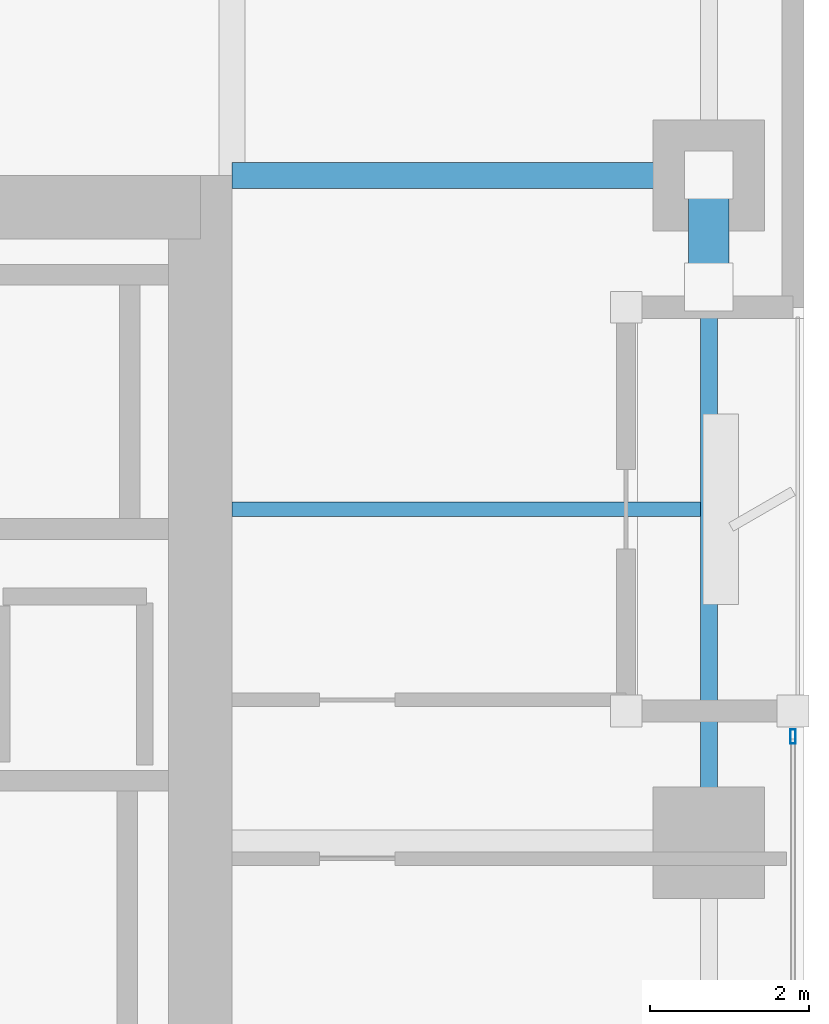
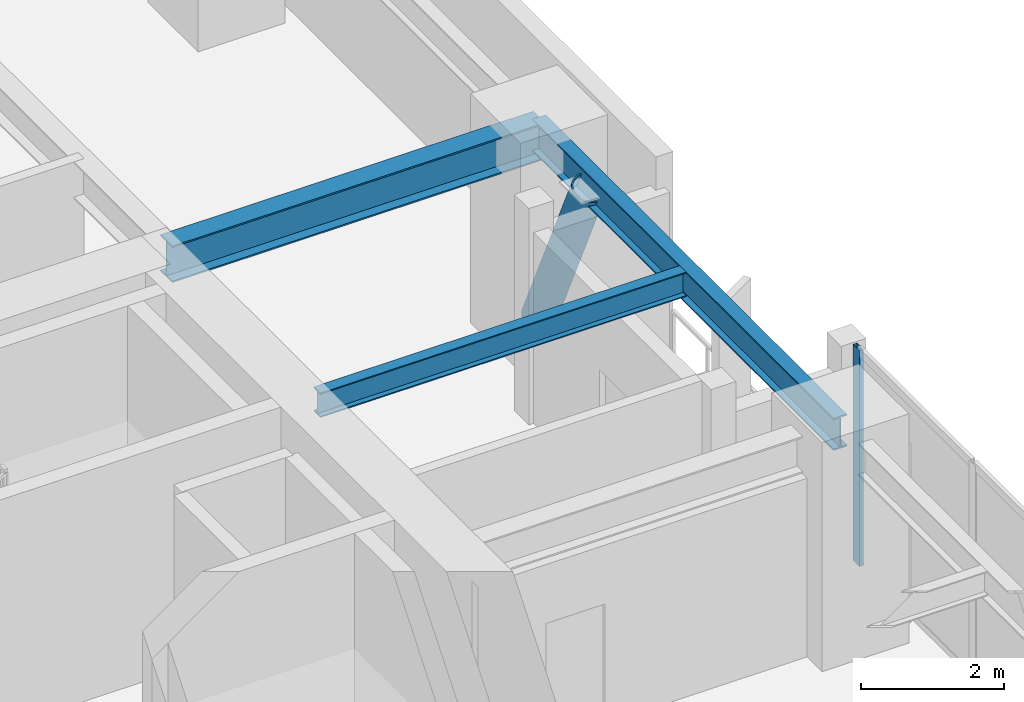
# One storey, part 11 of 30: 3 beams, 2 members, 1 element without a shape of its own.
"""IFC4 building model written with IfcOpenShell, lengths in metres."""

from ifc_helpers import new_model, si_unit, direction, frame, origin, origin_2d, place, context, subcontext, project, spatial, hollow_rectangle, hollow_circle, i_section, extrude, material, layer, layer_set, material_profile, profile_set, type_object, element, aggregate, save


model = new_model("IFC4")

# Units and contexts
model_context = context("Model", 3, precision=1e-05, world=origin(), true_north=direction((0.0, 1.0)))
body_context = subcontext(model_context, "Body", "Model", "MODEL_VIEW")
ifc_project = project(units=[si_unit("LENGTHUNIT", "METRE"), si_unit("AREAUNIT", "SQUARE_METRE"), si_unit("VOLUMEUNIT", "CUBIC_METRE"), si_unit("PLANEANGLEUNIT", "RADIAN"), si_unit("MASSUNIT", "GRAM", prefix="KILO")], contexts=[model_context])

# Site, building, storey
site_placement = place(None, origin())
site = spatial("IfcSite", under=ifc_project, at=site_placement, CompositionType="ELEMENT")
building_placement = place(site_placement, origin())
building = spatial("IfcBuilding", under=site, at=building_placement, Name="Kiyonajd Concourse Tower", CompositionType="ELEMENT")
storey_placement = place(building_placement, frame((0.0, 0.0, 154.5)))
storey = spatial("IfcBuildingStorey", under=building, at=storey_placement, Name="L39", CompositionType="ELEMENT", Elevation=154.5)

# Beams
ifc_material_1 = material(Name="Steel ASTM A992 Grade 50", Category="steel")
ifc_material_profile_1 = material_profile(ifc_material_1, i_section(OverallWidth=0.180908203125, OverallDepth=0.4169921875, WebThickness=0.010986328125, FlangeThickness=0.018310546875, at=origin_2d()), Name="W410X85")
ifc_profile_set_1 = profile_set([ifc_material_profile_1], Name="Steel ASTM A992 Grade 50")
beam_type_1 = type_object("IfcBeamType", Name="BM-JST-410", PredefinedType="JOIST", material=ifc_profile_set_1)
beam_1_placement = place(storey_placement, frame((63.60009765625, 40.199951171875, 3.471435546875), z_axis=(1.0, 0.0, 0.0), x_axis=(0.0, 1.0, 0.0)))
element("IfcBeam", 1, at=beam_1_placement, inside=storey, type_object=beam_type_1, Name="L39 East Secondary Floor Joist", PredefinedType="JOIST", context=body_context, shape_type="SweptSolid", body=[
    extrude(i_section(OverallWidth=0.180908203125, OverallDepth=0.4169921875, WebThickness=0.010986328125, FlangeThickness=0.018310546875, at=origin_2d()), origin(), (0.0, 0.0, 1.0), 5.892822265625),
])
ifc_material_profile_2 = material_profile(ifc_material_1, i_section(OverallWidth=0.214111328125, OverallDepth=0.549072265625, WebThickness=0.0146484375, FlangeThickness=0.023681640625, at=origin_2d()), Name="W530X138")
ifc_profile_set_2 = profile_set([ifc_material_profile_2], Name="Steel ASTM A992 Grade 50")
beam_type_2 = type_object("IfcBeamType", Name="BM-SPAN-530A", PredefinedType="SPANDREL", material=ifc_profile_set_2)
beam_2_placement = place(storey_placement, frame((69.60009765625, 36.0, 3.405517578125), z_axis=(0.0, 1.0, 0.0), x_axis=(-1.0, 0.0, 0.0)))
element("IfcBeam", 2, at=beam_2_placement, inside=storey, type_object=beam_type_2, Name="L39 Perimeter Bundled Tube Spandrel", PredefinedType="SPANDREL", context=body_context, shape_type="SweptSolid", body=[
    extrude(i_section(OverallWidth=0.214111328125, OverallDepth=0.549072265625, WebThickness=0.0146484375, FlangeThickness=0.023681640625, at=origin_2d()), origin(), (0.0, 0.0, 1.0), 8.39990234375),
])
ifc_material_profile_3 = material_profile(ifc_material_1, i_section(OverallWidth=0.326904296875, OverallDepth=0.6220703125, WebThickness=0.015380859375, FlangeThickness=0.0244140625, at=origin_2d()), Name="W610X195")
ifc_profile_set_3 = profile_set([ifc_material_profile_3], Name="Steel ASTM A992 Grade 50")
beam_type_3 = type_object("IfcBeamType", Name="BM-TWR-610A", PredefinedType="BEAM", material=ifc_profile_set_3)
beam_3_placement = place(storey_placement, frame((63.60009765625, 44.39990234375, 3.368896484375), z_axis=(1.0, 0.0, 0.0), x_axis=(0.0, 1.0, 0.0)))
element("IfcBeam", 3, at=beam_3_placement, inside=storey, type_object=beam_type_3, Name="L39 East Lease Girder", PredefinedType="BEAM", context=body_context, shape_type="SweptSolid", body=[
    extrude(i_section(OverallWidth=0.326904296875, OverallDepth=0.6220703125, WebThickness=0.015380859375, FlangeThickness=0.0244140625, at=origin_2d()), origin(), (0.0, 0.0, 1.0), 6.0),
])

# Curtain wall, member
ifc_material_2 = material(Name="Thermally Broken Anodised Aluminium", Category="aluminium")
ifc_layer = layer(ifc_material_2, 0.179931640625)
ifc_layer_set = layer_set([ifc_layer], Name="Thermally Broken Anodised Aluminium")
curtain_wall_type = type_object("IfcCurtainWallType", Name="CW-SYS-03", PredefinedType="NOTDEFINED", material=ifc_layer_set)
curtain_wall_placement = place(storey_placement, origin())
curtain_wall = element("IfcCurtainWall", 4, at=curtain_wall_placement, inside=storey, type_object=curtain_wall_type, Name="L39 Unitised Curtain Wall CW3", PredefinedType="NOTDEFINED")
ifc_material_profile_4 = material_profile(ifc_material_2, hollow_rectangle(XDim=0.06494140625, YDim=0.179931640625, WallThickness=0.00390625, at=origin_2d()), Name="MULL-65x180")
ifc_profile_set_4 = profile_set([ifc_material_profile_4], Name="Thermally Broken Anodised Aluminium")
member_type_1 = type_object("IfcMemberType", Name="MB-CW-MULL1", PredefinedType="MULLION", material=ifc_profile_set_4)
member_1_placement = place(storey_placement, frame((70.659912109375, 37.33740234375, 0.0), z_axis=(0.0, 0.0, 1.0), x_axis=(1.0, 0.0, 0.0)))
member_1 = element("IfcMember", 5, at=member_1_placement, type_object=member_type_1, Name="CW3 mullion 1", PredefinedType="MULLION", context=body_context, shape_type="SweptSolid", body=[
    extrude(hollow_rectangle(XDim=0.06494140625, YDim=0.179931640625, WallThickness=0.00390625, at=origin_2d()), origin(), (0.0, 0.0, 1.0), 3.679931640625),
])
aggregate(curtain_wall, [member_1])

# Member
ifc_material_3 = material(Name="Steel ASTM A500 Grade C", Category="steel")
ifc_material_profile_5 = material_profile(ifc_material_3, hollow_circle(Radius=0.25390625, WallThickness=0.02197265625, at=origin_2d()), Name="CHS-508x22")
ifc_profile_set_5 = profile_set([ifc_material_profile_5], Name="Steel ASTM A500 Grade C")
member_type_2 = type_object("IfcMemberType", Name="MB-PB-MID", PredefinedType="BRACE", material=ifc_profile_set_5)
member_2_placement = place(storey_placement, frame((69.60009765625, 44.39990234375, 0.300048828125), z_axis=(0.0, -0.419410666774, 0.907796614114), x_axis=(1.0, 0.0, 0.0)))
element("IfcMember", 6, at=member_2_placement, inside=storey, type_object=member_type_2, Name="L39 Upper Zone Hollow Tube Brace PBE", PredefinedType="BRACE", context=body_context, shape_type="SweptSolid", body=[
    extrude(hollow_circle(Radius=0.25390625, WallThickness=0.02197265625, at=origin_2d()), origin(), (0.0, 0.0, 1.0), 3.337890625),
])

save(model, "model.ifc")
